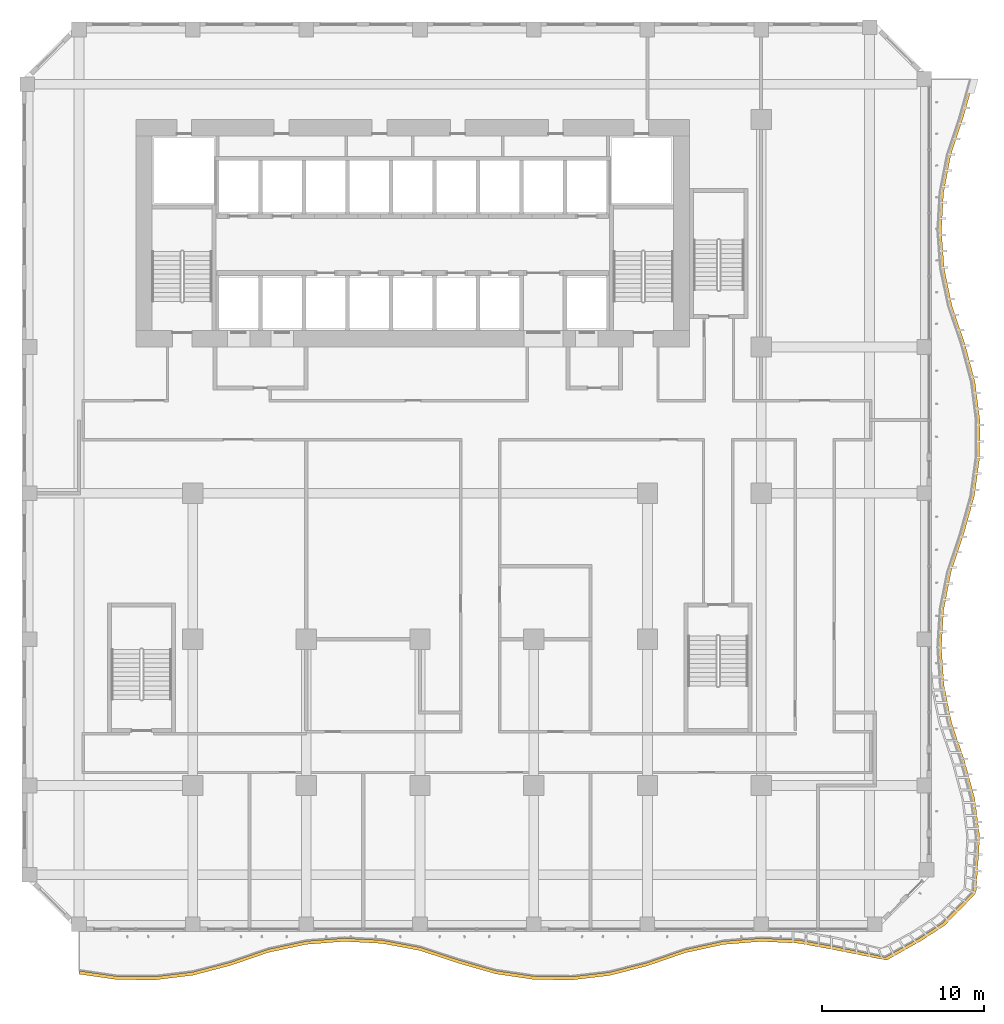
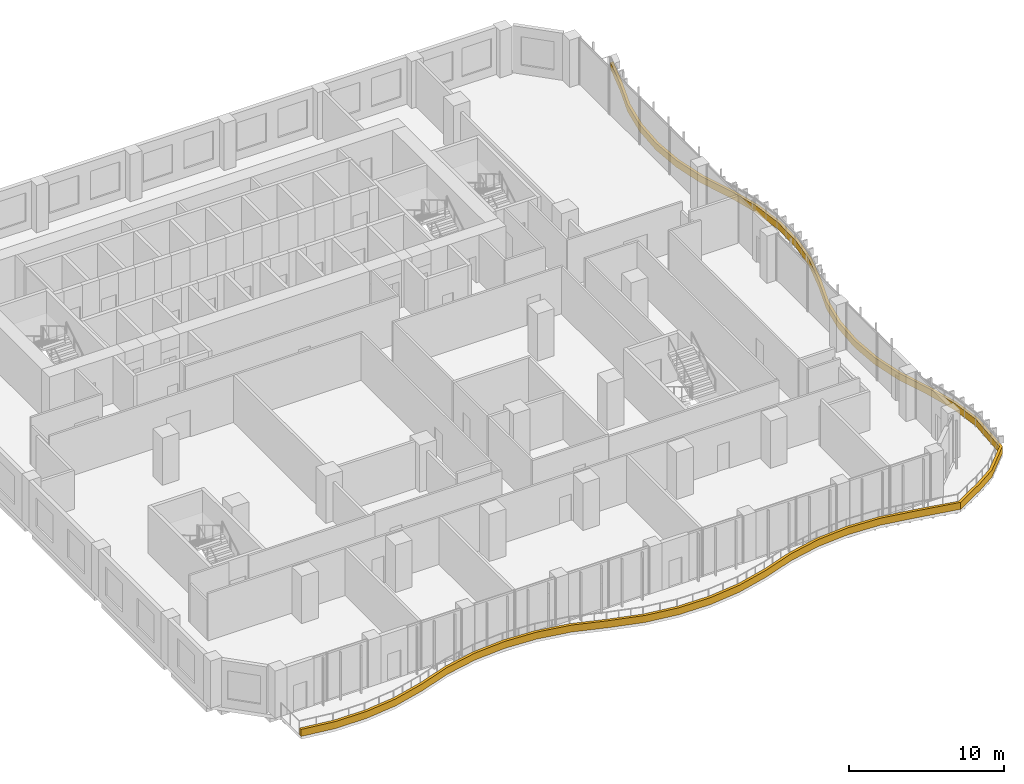
# One storey, part 23 of 29: 1 shading device.
"""IFC4 building model written with IfcOpenShell, lengths in metres."""

from ifc_helpers import new_model, si_unit, direction, frame, origin, place, context, subcontext, project, spatial, polyline, outline, extrude, source, transform, mapped, material, layer, layer_set, type_object, element, save


model = new_model("IFC4")

# Units and contexts
model_context = context("Model", 3, precision=1e-05, world=origin(), true_north=direction((0.0, 1.0)))
body_context = subcontext(model_context, "Body", "Model", "MODEL_VIEW")
ifc_project = project(units=[si_unit("LENGTHUNIT", "METRE"), si_unit("AREAUNIT", "SQUARE_METRE"), si_unit("VOLUMEUNIT", "CUBIC_METRE"), si_unit("PLANEANGLEUNIT", "RADIAN"), si_unit("MASSUNIT", "GRAM", prefix="KILO")], contexts=[model_context])

# Site, building, storey
site_placement = place(None, origin())
site = spatial("IfcSite", under=ifc_project, at=site_placement, CompositionType="ELEMENT")
building_placement = place(site_placement, origin())
building = spatial("IfcBuilding", under=site, at=building_placement, Name="Kilnfold Tower and Market Hall", CompositionType="ELEMENT")
storey_placement = place(building_placement, frame((0.0, 0.0, 79.199951171875)))
storey = spatial("IfcBuildingStorey", under=building, at=storey_placement, Name="L18", CompositionType="ELEMENT", Elevation=79.199951171875)

# Shading device
ifc_material = material(Name="Precast concrete C50/60", Category="concrete")
ifc_layer = layer(ifc_material, 0.550048828125)
ifc_layer_set = layer_set([ifc_layer], Name="Precast concrete C50/60")
shading_device_type = type_object("IfcShadingDeviceType", Name="BALCONY UPSTAND 550", PredefinedType="USERDEFINED", material=ifc_layer_set)
shared_shape = source(origin(), body_context, "Body", "SweptSolid", [
    extrude(outline(polyline([(-19.5, -30.6171875), (-17.166748046875, -30.949462890625), (-14.833251953125, -30.972412109375), (-12.5, -30.68798828125), (-10.166748046875, -30.080078125), (-7.833251953125, -29.27978515625), (-5.5, -28.782470703125), (-3.166748046875, -28.601318359375), (-0.833251953125, -28.7265625), (1.5, -29.164794921875), (3.833251953125, -29.932373046875), (6.166748046875, -30.602294921875), (8.5, -30.94384765625), (10.833251953125, -30.976318359375), (13.166748046875, -30.701171875), (15.5, -30.103515625), (17.833251953125, -29.2998046875), (20.166748046875, -28.792724609375), (22.5, -28.602294921875), (24.833251953125, -28.71826171875), (27.166748046875, -29.146728515625), (30.2294921875, -29.761474609375), (32.3798828125, -28.546630859375), (33.79248046875, -27.6259765625), (35.734130859375, -25.632568359375), (35.964111328125, -22.166748046875), (35.660400390625, -19.833251953125), (35.031982421875, -17.5), (34.239990234375, -15.166748046875), (33.7626953125, -12.833251953125), (33.60009765625, -10.5), (33.743896484375, -8.166748046875), (34.201904296875, -5.833251953125), (34.98291015625, -3.5), (35.632080078125, -1.166748046875), (35.95458984375, 1.166748046875), (35.968505859375, 3.5), (35.67431640625, 5.833251953125), (35.05615234375, 8.166748046875), (34.259765625, 10.5), (33.7724609375, 12.833251953125), (33.6005859375, 15.166748046875), (33.735107421875, 17.5), (34.18310546875, 19.833251953125), (34.957763671875, 22.166748046875), (35.6171875, 24.5), (35.417236328125, 24.5), (34.7578125, 22.166748046875), (33.983154296875, 19.833251953125), (33.53515625, 17.5), (33.400634765625, 15.166748046875), (33.572509765625, 12.833251953125), (34.059814453125, 10.5), (34.856201171875, 8.166748046875), (35.474365234375, 5.833251953125), (35.7685546875, 3.5), (35.754638671875, 1.166748046875), (35.431884765625, -1.166748046875), (34.782958984375, -3.5), (34.001708984375, -5.833251953125), (33.5439453125, -8.166748046875), (33.400146484375, -10.5), (33.5625, -12.833251953125), (34.0400390625, -15.166748046875), (34.83203125, -17.5), (35.46044921875, -19.833251953125), (35.76416015625, -22.166748046875), (35.54931640625, -25.555908203125), (33.651123046875, -27.484619140625), (32.238525390625, -28.4052734375), (30.153076171875, -29.57666015625), (27.166748046875, -28.94677734375), (24.833251953125, -28.518310546875), (22.5, -28.402099609375), (20.166748046875, -28.5927734375), (17.833251953125, -29.099853515625), (15.5, -29.903564453125), (13.166748046875, -30.501220703125), (10.833251953125, -30.7763671875), (8.5, -30.743896484375), (6.166748046875, -30.402099609375), (3.833251953125, -29.732421875), (1.5, -28.964599609375), (-0.833251953125, -28.526611328125), (-3.166748046875, -28.4013671875), (-5.5, -28.58251953125), (-7.833251953125, -29.07958984375), (-10.166748046875, -29.880126953125), (-12.5, -30.48779296875), (-14.833251953125, -30.7724609375), (-17.166748046875, -30.74951171875), (-19.5, -30.417236328125), (-19.5, -30.6171875)])), origin(), (0.0, 0.0, 1.0), 0.550048828125),
])
shading_device_placement = place(storey_placement, origin())
element("IfcShadingDevice", 1, at=shading_device_placement, inside=storey, type_object=shading_device_type, Name="Balcony fascia L18", ObjectType="FASCIA", PredefinedType="USERDEFINED", context=body_context, shape_type="MappedRepresentation", body=[
    mapped(shared_shape, transform((0.0, 0.0, 0.0))),
])

save(model, "model.ifc")
